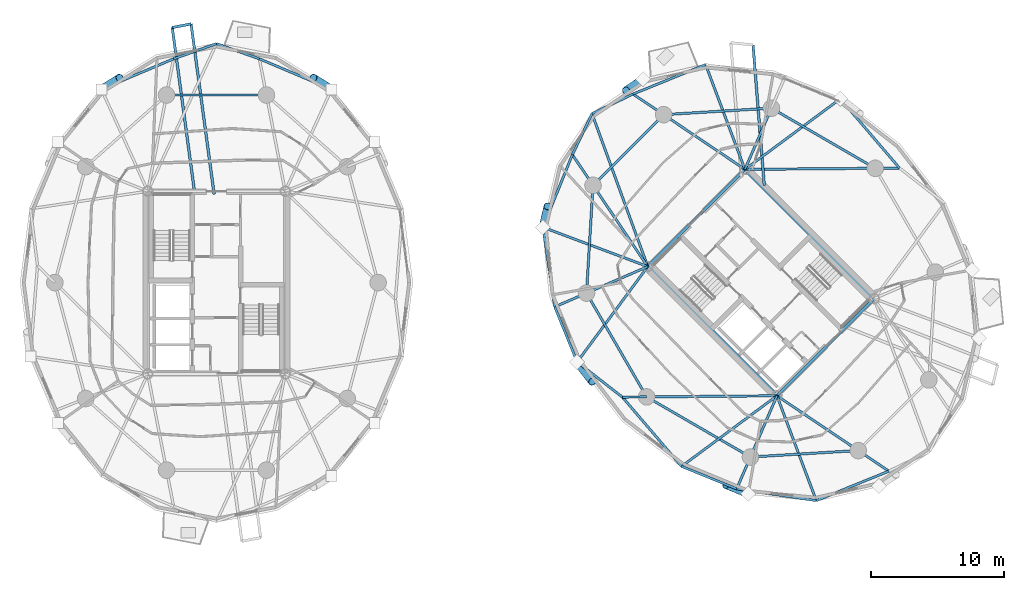
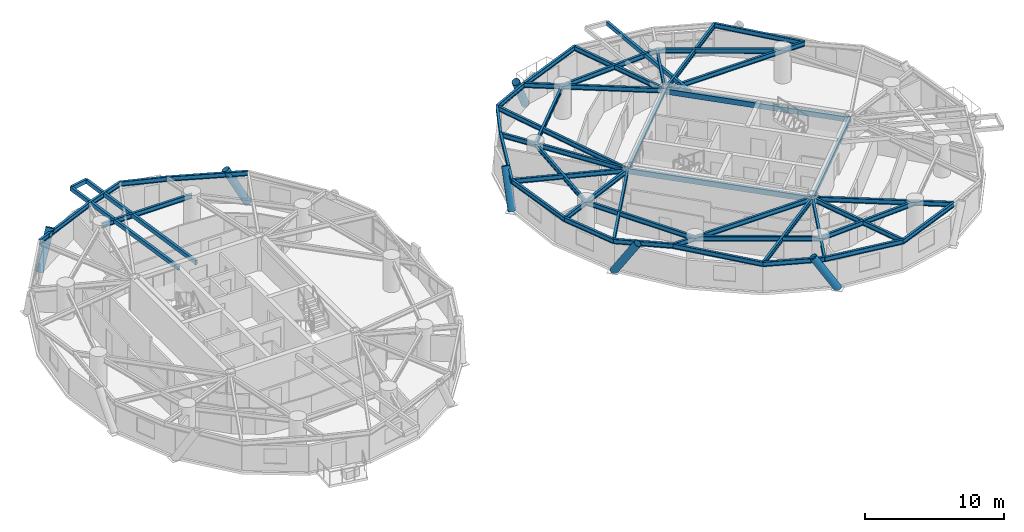
# One storey, part 6 of 19: 48 beams, 6 members.
"""IFC4 building model written with IfcOpenShell, lengths in metres."""

from ifc_helpers import new_model, si_unit, direction, frame, origin, origin_2d, place, context, subcontext, project, spatial, hollow_rectangle, hollow_circle, i_section, extrude, material, material_profile, profile_set, type_object, element, save


model = new_model("IFC4")

# Units and contexts
model_context = context("Model", 3, precision=1e-05, world=origin(), true_north=direction((0.0, 1.0)))
body_context = subcontext(model_context, "Body", "Model", "MODEL_VIEW")
ifc_project = project(units=[si_unit("LENGTHUNIT", "METRE"), si_unit("AREAUNIT", "SQUARE_METRE"), si_unit("VOLUMEUNIT", "CUBIC_METRE"), si_unit("PLANEANGLEUNIT", "RADIAN"), si_unit("MASSUNIT", "GRAM", prefix="KILO")], contexts=[model_context])

# Site, building, storey
site_placement = place(None, origin())
site = spatial("IfcSite", under=ifc_project, at=site_placement, CompositionType="ELEMENT")
building_placement = place(site_placement, origin())
building = spatial("IfcBuilding", under=site, at=building_placement, Name="Cununo Teusaquillo Station Towers", CompositionType="ELEMENT")
storey_placement = place(building_placement, frame((0.0, 0.0, 160.330078125)))
storey = spatial("IfcBuildingStorey", under=building, at=storey_placement, Name="L50", CompositionType="ELEMENT", Elevation=160.330078125)

# Beams
ifc_material_1 = material(Name="Steel EN 10025-2 S355J2", Category="steel")
ifc_material_profile_1 = material_profile(ifc_material_1, hollow_rectangle(XDim=0.199951171875, YDim=0.35009765625, WallThickness=0.013916015625, at=origin_2d()), Name="RHS 350x200x14")
ifc_profile_set_1 = profile_set([ifc_material_profile_1], Name="Steel EN 10025-2 S355J2")
beam_type_1 = type_object("IfcBeamType", Name="BM-BAL-CANT", PredefinedType="BEAM", material=ifc_profile_set_1)
beam_1_placement = place(storey_placement, frame((16.325439453125, 31.14990234375, 2.514892578125), z_axis=(-0.13427925042, 0.990943531644, 0.0), x_axis=(-0.990943531644, -0.13427925042, 0.0)))
element("IfcBeam", 1, at=beam_1_placement, inside=storey, type_object=beam_type_1, Name="L50 Tower A Balcony Cantilever Bracket 1A", PredefinedType="BEAM", context=body_context, shape_type="SweptSolid", body=[
    extrude(hollow_rectangle(XDim=0.199951171875, YDim=0.35009765625, WallThickness=0.013916015625, at=origin_2d()), origin(), (0.0, 0.0, 1.0), 12.947021484375),
])
beam_2_placement = place(storey_placement, frame((14.872314453125, 31.14990234375, 2.514892578125), z_axis=(-0.134274846508, 0.990944128392, 0.0), x_axis=(-0.990944128392, -0.134274846508, 0.0)))
element("IfcBeam", 2, at=beam_2_placement, inside=storey, type_object=beam_type_1, Name="L50 Tower A Balcony Cantilever Bracket 1B", PredefinedType="BEAM", context=body_context, shape_type="SweptSolid", body=[
    extrude(hollow_rectangle(XDim=0.199951171875, YDim=0.35009765625, WallThickness=0.013916015625, at=origin_2d()), origin(), (0.0, 0.0, 1.0), 12.671142578125),
])
beam_3_placement = place(storey_placement, frame((57.74853515625, 31.8173828125, 2.514892578125), z_axis=(-0.079442545434, 0.996839446438, 0.0), x_axis=(-0.996839446438, -0.079442545434, 0.0)))
element("IfcBeam", 3, at=beam_3_placement, inside=storey, type_object=beam_type_1, Name="L50 Tower B Balcony Cantilever Bracket 1A", PredefinedType="BEAM", context=body_context, shape_type="SweptSolid", body=[
    extrude(hollow_rectangle(XDim=0.199951171875, YDim=0.35009765625, WallThickness=0.013916015625, at=origin_2d()), origin(), (0.0, 0.0, 1.0), 10.611572265625),
])
ifc_material_2 = material(Name="Steel EN 10025-2 S355J2", Category="steel")
ifc_material_profile_2 = material_profile(ifc_material_2, hollow_rectangle(XDim=0.25, YDim=0.449951171875, WallThickness=0.01611328125, at=origin_2d()), Name="RHS 450x250x16")
ifc_profile_set_2 = profile_set([ifc_material_profile_2], Name="Steel EN 10025-2 S355J2")
beam_type_2 = type_object("IfcBeamType", Name="BM-COUP-1", PredefinedType="USERDEFINED", material=ifc_profile_set_2)
for number, where, z_axis, x_axis, name in (
    (4, (58.70556640625, 15.975830078125, 2.46484375), (-0.707106781187, 0.707106781187, 0.0), (-0.707106781187, -0.707106781187, 0.0), "L50 Tower B Core Beam 1"),
    (5, (66.024169921875, 23.29443359375, 2.46484375), (-0.707106781187, 0.707106781187, 0.0), (-0.707106781187, -0.707106781187, 0.0), "L50 Tower B Core Beam 2"),
):
    element("IfcBeam", number, at=place(storey_placement, frame(where, z_axis=z_axis, x_axis=x_axis)), inside=storey, type_object=beam_type_2, Name=name, ObjectType="COUPLING BEAM", PredefinedType="USERDEFINED", context=body_context, shape_type="SweptSolid", body=[
        extrude(hollow_rectangle(XDim=0.25, YDim=0.449951171875, WallThickness=0.01611328125, at=origin_2d()), origin(), (0.0, 0.0, 1.0), 13.760009765625),
    ])
ifc_material_3 = material(Name="Steel ASTM A572 Grade 50", Category="steel")
ifc_material_profile_3 = material_profile(ifc_material_3, i_section(OverallWidth=0.180908203125, OverallDepth=0.4169921875, WebThickness=0.010986328125, FlangeThickness=0.018310546875, FilletRadius=0.012939453125, at=origin_2d()), Name="W16X57")
ifc_profile_set_3 = profile_set([ifc_material_profile_3], Name="Steel ASTM A572 Grade 50")
beam_type_3 = type_object("IfcBeamType", Name="BM-JOIST-1", PredefinedType="JOIST", material=ifc_profile_set_3)
beam_4_placement = place(storey_placement, frame((56.29443359375, 33.024169921875, 2.4814453125), z_axis=(0.803848430471, 0.594834179272, 0.0), x_axis=(-0.594834179272, 0.803848430471, 0.0)))
element("IfcBeam", 6, at=beam_4_placement, inside=storey, type_object=beam_type_3, Name="L50 Tower B Radial Spandrel Joist V01", PredefinedType="JOIST", context=body_context, shape_type="SweptSolid", body=[
    extrude(i_section(OverallWidth=0.180908203125, OverallDepth=0.4169921875, WebThickness=0.010986328125, FlangeThickness=0.018310546875, FilletRadius=0.012939453125, at=origin_2d()), origin(), (0.0, 0.0, 1.0), 8.936767578125),
])
beam_5_placement = place(storey_placement, frame((56.29443359375, 33.024169921875, 2.4814453125), z_axis=(-0.351348805076, 0.936244635323, 0.0), x_axis=(-0.936244635323, -0.351348805076, 0.0)))
element("IfcBeam", 7, at=beam_5_placement, inside=storey, type_object=beam_type_3, Name="L50 Tower B Radial Spandrel Joist V03", PredefinedType="JOIST", context=body_context, shape_type="SweptSolid", body=[
    extrude(i_section(OverallWidth=0.180908203125, OverallDepth=0.4169921875, WebThickness=0.010986328125, FlangeThickness=0.018310546875, FilletRadius=0.012939453125, at=origin_2d()), origin(), (0.0, 0.0, 1.0), 8.4287109375),
])
beam_6_placement = place(storey_placement, frame((48.975830078125, 25.70556640625, 2.4814453125), z_axis=(-0.34241791496, 0.939547748395, 0.0), x_axis=(-0.939547748395, -0.34241791496, 0.0)))
element("IfcBeam", 8, at=beam_6_placement, inside=storey, type_object=beam_type_3, Name="L50 Tower B Radial Spandrel Joist V05", PredefinedType="JOIST", context=body_context, shape_type="SweptSolid", body=[
    extrude(i_section(OverallWidth=0.180908203125, OverallDepth=0.4169921875, WebThickness=0.010986328125, FlangeThickness=0.018310546875, FilletRadius=0.012939453125, at=origin_2d()), origin(), (0.0, 0.0, 1.0), 12.25634765625),
])
beam_7_placement = place(storey_placement, frame((48.975830078125, 25.70556640625, 2.4814453125), z_axis=(-0.936244635323, 0.351348805076, 0.0), x_axis=(-0.351348805076, -0.936244635323, 0.0)))
element("IfcBeam", 9, at=beam_7_placement, inside=storey, type_object=beam_type_3, Name="L50 Tower B Radial Spandrel Joist V07", PredefinedType="JOIST", context=body_context, shape_type="SweptSolid", body=[
    extrude(i_section(OverallWidth=0.180908203125, OverallDepth=0.4169921875, WebThickness=0.010986328125, FlangeThickness=0.018310546875, FilletRadius=0.012939453125, at=origin_2d()), origin(), (0.0, 0.0, 1.0), 8.4287109375),
])
for number, where, z_axis, x_axis, name in (
    (10, (48.975830078125, 25.70556640625, 2.4814453125), (-0.594834179272, -0.803848430471, 0.0), (0.803848430471, -0.594834179272, 0.0), "L50 Tower B Radial Spandrel Joist V09"),
    (11, (58.70556640625, 15.975830078125, 2.4814453125), (-0.803848430471, -0.594834179272, 0.0), (0.594834179272, -0.803848430471, 0.0), "L50 Tower B Radial Spandrel Joist V11"),
):
    element("IfcBeam", number, at=place(storey_placement, frame(where, z_axis=z_axis, x_axis=x_axis)), inside=storey, type_object=beam_type_3, Name=name, PredefinedType="JOIST", context=body_context, shape_type="SweptSolid", body=[
        extrude(i_section(OverallWidth=0.180908203125, OverallDepth=0.4169921875, WebThickness=0.010986328125, FlangeThickness=0.018310546875, FilletRadius=0.012939453125, at=origin_2d()), origin(), (0.0, 0.0, 1.0), 8.936767578125),
    ])
beam_8_placement = place(storey_placement, frame((58.70556640625, 15.975830078125, 2.4814453125), z_axis=(0.351348805076, -0.936244635323, 0.0), x_axis=(0.936244635323, 0.351348805076, 0.0)))
element("IfcBeam", 12, at=beam_8_placement, inside=storey, type_object=beam_type_3, Name="L50 Tower B Radial Spandrel Joist V13", PredefinedType="JOIST", context=body_context, shape_type="SweptSolid", body=[
    extrude(i_section(OverallWidth=0.180908203125, OverallDepth=0.4169921875, WebThickness=0.010986328125, FlangeThickness=0.018310546875, FilletRadius=0.012939453125, at=origin_2d()), origin(), (0.0, 0.0, 1.0), 8.4287109375),
])
ifc_material_4 = material(Name="Steel ASTM A572 Grade 50", Category="steel")
ifc_material_profile_4 = material_profile(ifc_material_4, i_section(OverallWidth=0.2041015625, OverallDepth=0.35009765625, WebThickness=0.008544921875, FlangeThickness=0.01513671875, FilletRadius=0.011962890625, at=origin_2d()), Name="W14X48")
ifc_profile_set_4 = profile_set([ifc_material_profile_4], Name="Steel ASTM A572 Grade 50")
beam_type_4 = type_object("IfcBeamType", Name="BM-LINTEL-1", PredefinedType="LINTEL", material=ifc_profile_set_4)
for number, where, z_axis, x_axis, name in (
    (13, (58.70556640625, 15.975830078125, 2.514892578125), (0.707106781187, 0.707106781187, 0.0), (-0.707106781187, 0.707106781187, 0.0), "L50 Tower B Core Beam 3"),
    (14, (48.975830078125, 25.70556640625, 2.514892578125), (0.707106781187, 0.707106781187, 0.0), (-0.707106781187, 0.707106781187, 0.0), "L50 Tower B Core Beam 4"),
):
    element("IfcBeam", number, at=place(storey_placement, frame(where, z_axis=z_axis, x_axis=x_axis)), inside=storey, type_object=beam_type_4, Name=name, PredefinedType="LINTEL", context=body_context, shape_type="SweptSolid", body=[
        extrude(i_section(OverallWidth=0.2041015625, OverallDepth=0.35009765625, WebThickness=0.008544921875, FlangeThickness=0.01513671875, FilletRadius=0.011962890625, at=origin_2d()), origin(), (0.0, 0.0, 1.0), 10.35009765625),
    ])
ifc_material_5 = material(Name="Steel ASTM A572 Grade 50", Category="steel")
ifc_material_profile_5 = material_profile(ifc_material_5, i_section(OverallWidth=0.180908203125, OverallDepth=0.4169921875, WebThickness=0.010986328125, FlangeThickness=0.018310546875, FilletRadius=0.012939453125, at=origin_2d()), Name="W16X57")
ifc_profile_set_5 = profile_set([ifc_material_profile_5], Name="Steel ASTM A572 Grade 50")
beam_type_5 = type_object("IfcBeamType", Name="BM-RAD-G2", PredefinedType="BEAM", material=ifc_profile_set_5)
beam_9_placement = place(storey_placement, frame((56.29443359375, 33.024169921875, 2.4814453125), z_axis=(0.999964454788, 0.008431438866, 0.0), x_axis=(-0.008431438866, 0.999964454788, 0.0)))
element("IfcBeam", 15, at=beam_9_placement, inside=storey, type_object=beam_type_5, Name="L50 Tower B Continuous Overhanging Radial Girder 01", PredefinedType="BEAM", context=body_context, shape_type="SweptSolid", body=[
    extrude(i_section(OverallWidth=0.180908203125, OverallDepth=0.4169921875, WebThickness=0.010986328125, FlangeThickness=0.018310546875, FilletRadius=0.012939453125, at=origin_2d()), origin(), (0.0, 0.0, 1.0), 11.640380859375),
])
beam_10_placement = place(storey_placement, frame((56.29443359375, 33.024169921875, 2.4814453125), z_axis=(0.397346986387, 0.917668443616, 0.0), x_axis=(-0.917668443616, 0.397346986387, 0.0)))
element("IfcBeam", 16, at=beam_10_placement, inside=storey, type_object=beam_type_5, Name="L50 Tower B Radial Girder 02A", PredefinedType="BEAM", context=body_context, shape_type="SweptSolid", body=[
    extrude(i_section(OverallWidth=0.180908203125, OverallDepth=0.4169921875, WebThickness=0.010986328125, FlangeThickness=0.018310546875, FilletRadius=0.012939453125, at=origin_2d()), origin(), (0.0, 0.0, 1.0), 5.02490234375),
])
for number, where, z_axis, x_axis, name in (
    (17, (56.29443359375, 33.024169921875, 2.4814453125), (-0.829456923219, 0.558570687133, 0.0), (-0.558570687133, -0.829456923219, 0.0), "L50 Tower B Continuous Overhanging Radial Girder 03"),
    (18, (48.975830078125, 25.70556640625, 2.4814453125), (-0.558570687133, 0.829456923219, 0.0), (-0.829456923219, -0.558570687133, 0.0), "L50 Tower B Continuous Overhanging Radial Girder 04"),
):
    element("IfcBeam", number, at=place(storey_placement, frame(where, z_axis=z_axis, x_axis=x_axis)), inside=storey, type_object=beam_type_5, Name=name, PredefinedType="BEAM", context=body_context, shape_type="SweptSolid", body=[
        extrude(i_section(OverallWidth=0.180908203125, OverallDepth=0.4169921875, WebThickness=0.010986328125, FlangeThickness=0.018310546875, FilletRadius=0.012939453125, at=origin_2d()), origin(), (0.0, 0.0, 1.0), 10.1591796875),
    ])
beam_11_placement = place(storey_placement, frame((48.975830078125, 25.70556640625, 2.4814453125), z_axis=(-0.917655964072, -0.397375806515, 0.0), x_axis=(0.397375806515, -0.917655964072, 0.0)))
element("IfcBeam", 19, at=beam_11_placement, inside=storey, type_object=beam_type_5, Name="L50 Tower B Continuous Overhanging Radial Girder 05", PredefinedType="BEAM", context=body_context, shape_type="SweptSolid", body=[
    extrude(i_section(OverallWidth=0.180908203125, OverallDepth=0.4169921875, WebThickness=0.010986328125, FlangeThickness=0.018310546875, FilletRadius=0.012939453125, at=origin_2d()), origin(), (0.0, 0.0, 1.0), 7.6318359375),
])
beam_12_placement = place(storey_placement, frame((58.70556640625, 15.975830078125, 2.4814453125), z_axis=(-0.999964431382, -0.008434214327, 0.0), x_axis=(0.008434214327, -0.999964431382, 0.0)))
element("IfcBeam", 20, at=beam_12_placement, inside=storey, type_object=beam_type_5, Name="L50 Tower B Radial Girder 06A", PredefinedType="BEAM", context=body_context, shape_type="SweptSolid", body=[
    extrude(i_section(OverallWidth=0.180908203125, OverallDepth=0.4169921875, WebThickness=0.010986328125, FlangeThickness=0.018310546875, FilletRadius=0.012939453125, at=origin_2d()), origin(), (0.0, 0.0, 1.0), 9.812744140625),
])
beam_13_placement = place(storey_placement, frame((48.89306640625, 15.89306640625, 2.4814453125), z_axis=(-0.999964580337, -0.008416535546, 0.0), x_axis=(0.008416535546, -0.999964580337, 0.0)))
element("IfcBeam", 21, at=beam_13_placement, inside=storey, type_object=beam_type_5, Name="L50 Tower B Perimeter Overhang Girder 06B", PredefinedType="BEAM", context=body_context, shape_type="SweptSolid", body=[
    extrude(i_section(OverallWidth=0.180908203125, OverallDepth=0.4169921875, WebThickness=0.010986328125, FlangeThickness=0.018310546875, FilletRadius=0.012939453125, at=origin_2d()), origin(), (0.0, 0.0, 1.0), 1.827392578125),
])
beam_14_placement = place(storey_placement, frame((58.70556640625, 15.975830078125, 2.4814453125), z_axis=(-0.397375806515, -0.917655964072, 0.0), x_axis=(0.917655964072, -0.397375806515, 0.0)))
element("IfcBeam", 22, at=beam_14_placement, inside=storey, type_object=beam_type_5, Name="L50 Tower B Continuous Overhanging Radial Girder 07", PredefinedType="BEAM", context=body_context, shape_type="SweptSolid", body=[
    extrude(i_section(OverallWidth=0.180908203125, OverallDepth=0.4169921875, WebThickness=0.010986328125, FlangeThickness=0.018310546875, FilletRadius=0.012939453125, at=origin_2d()), origin(), (0.0, 0.0, 1.0), 7.6318359375),
])
beam_15_placement = place(storey_placement, frame((58.70556640625, 15.975830078125, 2.4814453125), z_axis=(0.829456923219, -0.558570687133, 0.0), x_axis=(0.558570687133, 0.829456923219, 0.0)))
element("IfcBeam", 23, at=beam_15_placement, inside=storey, type_object=beam_type_5, Name="L50 Tower B Continuous Overhanging Radial Girder 08", PredefinedType="BEAM", context=body_context, shape_type="SweptSolid", body=[
    extrude(i_section(OverallWidth=0.180908203125, OverallDepth=0.4169921875, WebThickness=0.010986328125, FlangeThickness=0.018310546875, FilletRadius=0.012939453125, at=origin_2d()), origin(), (0.0, 0.0, 1.0), 10.1591796875),
])
ifc_material_6 = material(Name="Steel ASTM A572 Grade 50", Category="steel")
ifc_material_profile_6 = material_profile(ifc_material_6, i_section(OverallWidth=0.180908203125, OverallDepth=0.4169921875, WebThickness=0.010986328125, FlangeThickness=0.018310546875, FilletRadius=0.012939453125, at=origin_2d()), Name="W16X57")
ifc_profile_set_6 = profile_set([ifc_material_profile_6], Name="Steel ASTM A572 Grade 50")
beam_type_6 = type_object("IfcBeamType", Name="BM-RING-Z3", PredefinedType="SPANDREL", material=ifc_profile_set_6)
beam_16_placement = place(storey_placement, frame((20.261474609375, 38.623291015625, 2.4814453125), z_axis=(-1.0, 0.0, 0.0), x_axis=(0.0, -1.0, 0.0)))
element("IfcBeam", 24, at=beam_16_placement, inside=storey, type_object=beam_type_6, Name="L50 Tower A Structural Column Ring Girder 03", PredefinedType="SPANDREL", context=body_context, shape_type="SweptSolid", body=[
    extrude(i_section(OverallWidth=0.180908203125, OverallDepth=0.4169921875, WebThickness=0.010986328125, FlangeThickness=0.018310546875, FilletRadius=0.012939453125, at=origin_2d()), origin(), (0.0, 0.0, 1.0), 7.52294921875),
])
beam_17_placement = place(storey_placement, frame((25.160888671875, 39.05419921875, 2.4814453125), z_axis=(-0.921042081118, 0.38946307246, 0.0), x_axis=(-0.38946307246, -0.921042081118, 0.0)))
element("IfcBeam", 25, at=beam_17_placement, inside=storey, type_object=beam_type_6, Name="L50 Tower A Spandrel Ring Beam 04", PredefinedType="SPANDREL", context=body_context, shape_type="SweptSolid", body=[
    extrude(i_section(OverallWidth=0.180908203125, OverallDepth=0.4169921875, WebThickness=0.010986328125, FlangeThickness=0.018310546875, FilletRadius=0.012939453125, at=origin_2d()), origin(), (0.0, 0.0, 1.0), 5.8974609375),
])
for number, where, z_axis, x_axis, name in (
    (26, (19.72900390625, 41.35107421875, 2.4814453125), (-0.943057449198, 0.332629895698, 0.0), (-0.332629895698, -0.943057449198, 0.0), "L50 Tower A Spandrel Ring Beam 05"),
    (27, (16.5, 42.489990234375, 2.4814453125), (-0.943057449198, -0.332629895698, 0.0), (0.332629895698, -0.943057449198, 0.0), "L50 Tower A Spandrel Ring Beam 06"),
):
    element("IfcBeam", number, at=place(storey_placement, frame(where, z_axis=z_axis, x_axis=x_axis)), inside=storey, type_object=beam_type_6, Name=name, PredefinedType="SPANDREL", context=body_context, shape_type="SweptSolid", body=[
        extrude(i_section(OverallWidth=0.180908203125, OverallDepth=0.4169921875, WebThickness=0.010986328125, FlangeThickness=0.018310546875, FilletRadius=0.012939453125, at=origin_2d()), origin(), (0.0, 0.0, 1.0), 3.424072265625),
    ])
beam_18_placement = place(storey_placement, frame((13.27099609375, 41.35107421875, 2.4814453125), z_axis=(-0.921042081118, -0.38946307246, 0.0), x_axis=(0.38946307246, -0.921042081118, 0.0)))
element("IfcBeam", 28, at=beam_18_placement, inside=storey, type_object=beam_type_6, Name="L50 Tower A Spandrel Ring Beam 07", PredefinedType="SPANDREL", context=body_context, shape_type="SweptSolid", body=[
    extrude(i_section(OverallWidth=0.180908203125, OverallDepth=0.4169921875, WebThickness=0.010986328125, FlangeThickness=0.018310546875, FilletRadius=0.012939453125, at=origin_2d()), origin(), (0.0, 0.0, 1.0), 5.8974609375),
])
beam_19_placement = place(storey_placement, frame((66.10693359375, 33.10693359375, 2.4814453125), z_axis=(-0.865267103202, 0.501311121078, 0.0), x_axis=(-0.501311121078, -0.865267103202, 0.0)))
element("IfcBeam", 29, at=beam_19_placement, inside=storey, type_object=beam_type_6, Name="L50 Tower B Structural Column Ring Girder 01", PredefinedType="SPANDREL", context=body_context, shape_type="SweptSolid", body=[
    extrude(i_section(OverallWidth=0.180908203125, OverallDepth=0.4169921875, WebThickness=0.010986328125, FlangeThickness=0.018310546875, FilletRadius=0.012939453125, at=origin_2d()), origin(), (0.0, 0.0, 1.0), 9.032958984375),
])
beam_20_placement = place(storey_placement, frame((58.291015625, 37.63525390625, 2.4814453125), z_axis=(-0.998190567048, -0.06012979176, 0.0), x_axis=(0.06012979176, -0.998190567048, 0.0)))
element("IfcBeam", 30, at=beam_20_placement, inside=storey, type_object=beam_type_6, Name="L50 Tower B Structural Column Ring Girder 02", PredefinedType="SPANDREL", context=body_context, shape_type="SweptSolid", body=[
    extrude(i_section(OverallWidth=0.180908203125, OverallDepth=0.4169921875, WebThickness=0.010986328125, FlangeThickness=0.018310546875, FilletRadius=0.012939453125, at=origin_2d()), origin(), (0.0, 0.0, 1.0), 8.132568359375),
])
beam_21_placement = place(storey_placement, frame((50.173095703125, 37.146240234375, 2.4814453125), z_axis=(-0.707106781187, -0.707106781187, 0.0), x_axis=(0.707106781187, -0.707106781187, 0.0)))
element("IfcBeam", 31, at=beam_21_placement, inside=storey, type_object=beam_type_6, Name="L50 Tower B Structural Column Ring Girder 03", PredefinedType="SPANDREL", context=body_context, shape_type="SweptSolid", body=[
    extrude(i_section(OverallWidth=0.180908203125, OverallDepth=0.4169921875, WebThickness=0.010986328125, FlangeThickness=0.018310546875, FilletRadius=0.012939453125, at=origin_2d()), origin(), (0.0, 0.0, 1.0), 7.522705078125),
])
beam_22_placement = place(storey_placement, frame((44.853759765625, 31.826904296875, 2.4814453125), z_axis=(-0.06012979176, -0.998190567048, 0.0), x_axis=(0.998190567048, -0.06012979176, 0.0)))
element("IfcBeam", 32, at=beam_22_placement, inside=storey, type_object=beam_type_6, Name="L50 Tower B Structural Column Ring Girder 04", PredefinedType="SPANDREL", context=body_context, shape_type="SweptSolid", body=[
    extrude(i_section(OverallWidth=0.180908203125, OverallDepth=0.4169921875, WebThickness=0.010986328125, FlangeThickness=0.018310546875, FilletRadius=0.012939453125, at=origin_2d()), origin(), (0.0, 0.0, 1.0), 8.132568359375),
])
for number, where, z_axis, x_axis, name in (
    (33, (44.36474609375, 23.708984375, 2.4814453125), (0.501311121078, -0.865267103202, 0.0), (0.865267103202, 0.501311121078, 0.0), "L50 Tower B Structural Column Ring Girder 05"),
    (34, (48.89306640625, 15.89306640625, 2.4814453125), (0.865267103202, -0.501311121078, 0.0), (0.501311121078, 0.865267103202, 0.0), "L50 Tower B Structural Column Ring Girder 06"),
):
    element("IfcBeam", number, at=place(storey_placement, frame(where, z_axis=z_axis, x_axis=x_axis)), inside=storey, type_object=beam_type_6, Name=name, PredefinedType="SPANDREL", context=body_context, shape_type="SweptSolid", body=[
        extrude(i_section(OverallWidth=0.180908203125, OverallDepth=0.4169921875, WebThickness=0.010986328125, FlangeThickness=0.018310546875, FilletRadius=0.012939453125, at=origin_2d()), origin(), (0.0, 0.0, 1.0), 9.032958984375),
    ])
beam_23_placement = place(storey_placement, frame((56.708984375, 11.36474609375, 2.4814453125), z_axis=(0.998190567048, 0.06012979176, 0.0), x_axis=(-0.06012979176, 0.998190567048, 0.0)))
element("IfcBeam", 35, at=beam_23_placement, inside=storey, type_object=beam_type_6, Name="L50 Tower B Structural Column Ring Girder 07", PredefinedType="SPANDREL", context=body_context, shape_type="SweptSolid", body=[
    extrude(i_section(OverallWidth=0.180908203125, OverallDepth=0.4169921875, WebThickness=0.010986328125, FlangeThickness=0.018310546875, FilletRadius=0.012939453125, at=origin_2d()), origin(), (0.0, 0.0, 1.0), 8.132568359375),
])
beam_24_placement = place(storey_placement, frame((67.934326171875, 33.122314453125, 2.4814453125), z_axis=(-0.64941898982, 0.760430782952, 0.0), x_axis=(-0.760430782952, -0.64941898982, 0.0)))
element("IfcBeam", 36, at=beam_24_placement, inside=storey, type_object=beam_type_6, Name="L50 Tower B Spandrel Ring Beam 01", PredefinedType="SPANDREL", context=body_context, shape_type="SweptSolid", body=[
    extrude(i_section(OverallWidth=0.180908203125, OverallDepth=0.4169921875, WebThickness=0.010986328125, FlangeThickness=0.018310546875, FilletRadius=0.012939453125, at=origin_2d()), origin(), (0.0, 0.0, 1.0), 6.861572265625),
])
beam_25_placement = place(storey_placement, frame((53.3330078125, 40.91552734375, 2.4814453125), z_axis=(-0.926667183359, -0.375882869104, 0.0), x_axis=(0.375882869104, -0.926667183359, 0.0)))
element("IfcBeam", 37, at=beam_25_placement, inside=storey, type_object=beam_type_6, Name="L50 Tower B Spandrel Ring Beam 04", PredefinedType="SPANDREL", context=body_context, shape_type="SweptSolid", body=[
    extrude(i_section(OverallWidth=0.180908203125, OverallDepth=0.4169921875, WebThickness=0.010986328125, FlangeThickness=0.018310546875, FilletRadius=0.012939453125, at=origin_2d()), origin(), (0.0, 0.0, 1.0), 5.8974609375),
])
for number, where, z_axis, x_axis, name in (
    (38, (47.867919921875, 38.69873046875, 2.4814453125), (-0.902077503555, -0.431574069634, 0.0), (0.431574069634, -0.902077503555, 0.0), "L50 Tower B Spandrel Ring Beam 05"),
    (39, (44.779052734375, 37.220947265625, 2.4814453125), (-0.431574069634, -0.902077503555, 0.0), (0.902077503555, -0.431574069634, 0.0), "L50 Tower B Spandrel Ring Beam 06"),
):
    element("IfcBeam", number, at=place(storey_placement, frame(where, z_axis=z_axis, x_axis=x_axis)), inside=storey, type_object=beam_type_6, Name=name, PredefinedType="SPANDREL", context=body_context, shape_type="SweptSolid", body=[
        extrude(i_section(OverallWidth=0.180908203125, OverallDepth=0.4169921875, WebThickness=0.010986328125, FlangeThickness=0.018310546875, FilletRadius=0.012939453125, at=origin_2d()), origin(), (0.0, 0.0, 1.0), 3.424072265625),
    ])
beam_26_placement = place(storey_placement, frame((43.30126953125, 34.132080078125, 2.4814453125), z_axis=(-0.375882869104, -0.926667183359, 0.0), x_axis=(0.926667183359, -0.375882869104, 0.0)))
element("IfcBeam", 40, at=beam_26_placement, inside=storey, type_object=beam_type_6, Name="L50 Tower B Spandrel Ring Beam 07", PredefinedType="SPANDREL", context=body_context, shape_type="SweptSolid", body=[
    extrude(i_section(OverallWidth=0.180908203125, OverallDepth=0.4169921875, WebThickness=0.010986328125, FlangeThickness=0.018310546875, FilletRadius=0.012939453125, at=origin_2d()), origin(), (0.0, 0.0, 1.0), 5.8974609375),
])
beam_27_placement = place(storey_placement, frame((41.08447265625, 28.6669921875, 2.4814453125), z_axis=(0.146535519435, -0.989205409176, 0.0), x_axis=(0.989205409176, 0.146535519435, 0.0)))
element("IfcBeam", 41, at=beam_27_placement, inside=storey, type_object=beam_type_6, Name="L50 Tower B Spandrel Ring Beam 08", PredefinedType="SPANDREL", context=body_context, shape_type="SweptSolid", body=[
    extrude(i_section(OverallWidth=0.180908203125, OverallDepth=0.4169921875, WebThickness=0.010986328125, FlangeThickness=0.018310546875, FilletRadius=0.012939453125, at=origin_2d()), origin(), (0.0, 0.0, 1.0), 6.0595703125),
])
beam_28_placement = place(storey_placement, frame((41.972412109375, 22.6728515625, 2.4814453125), z_axis=(0.376588942192, -0.926380466449, 0.0), x_axis=(0.926380466449, 0.376588942192, 0.0)))
element("IfcBeam", 42, at=beam_28_placement, inside=storey, type_object=beam_type_6, Name="L50 Tower B Spandrel Ring Beam 09", PredefinedType="SPANDREL", context=body_context, shape_type="SweptSolid", body=[
    extrude(i_section(OverallWidth=0.180908203125, OverallDepth=0.4169921875, WebThickness=0.010986328125, FlangeThickness=0.018310546875, FilletRadius=0.012939453125, at=origin_2d()), origin(), (0.0, 0.0, 1.0), 4.48095703125),
])
beam_29_placement = place(storey_placement, frame((43.659912109375, 18.521728515625, 2.4814453125), z_axis=(0.789900716386, -0.613234749711, 0.0), x_axis=(0.613234749711, 0.789900716386, 0.0)))
element("IfcBeam", 43, at=beam_29_placement, inside=storey, type_object=beam_type_6, Name="L50 Tower B Spandrel Ring Beam 10", PredefinedType="SPANDREL", context=body_context, shape_type="SweptSolid", body=[
    extrude(i_section(OverallWidth=0.180908203125, OverallDepth=0.4169921875, WebThickness=0.010986328125, FlangeThickness=0.018310546875, FilletRadius=0.012939453125, at=origin_2d()), origin(), (0.0, 0.0, 1.0), 4.3115234375),
])
beam_30_placement = place(storey_placement, frame((47.065673828125, 15.877685546875, 2.4814453125), z_axis=(0.64941898982, -0.760430782952, 0.0), x_axis=(0.760430782952, 0.64941898982, 0.0)))
element("IfcBeam", 44, at=beam_30_placement, inside=storey, type_object=beam_type_6, Name="L50 Tower B Spandrel Ring Beam 11", PredefinedType="SPANDREL", context=body_context, shape_type="SweptSolid", body=[
    extrude(i_section(OverallWidth=0.180908203125, OverallDepth=0.4169921875, WebThickness=0.010986328125, FlangeThickness=0.018310546875, FilletRadius=0.012939453125, at=origin_2d()), origin(), (0.0, 0.0, 1.0), 6.861572265625),
])
beam_31_placement = place(storey_placement, frame((51.521728515625, 10.659912109375, 2.4814453125), z_axis=(0.926380466449, -0.376588942192, 0.0), x_axis=(0.376588942192, 0.926380466449, 0.0)))
element("IfcBeam", 45, at=beam_31_placement, inside=storey, type_object=beam_type_6, Name="L50 Tower B Spandrel Ring Beam 12", PredefinedType="SPANDREL", context=body_context, shape_type="SweptSolid", body=[
    extrude(i_section(OverallWidth=0.180908203125, OverallDepth=0.4169921875, WebThickness=0.010986328125, FlangeThickness=0.018310546875, FilletRadius=0.012939453125, at=origin_2d()), origin(), (0.0, 0.0, 1.0), 4.48095703125),
])
beam_32_placement = place(storey_placement, frame((55.6728515625, 8.972412109375, 2.4814453125), z_axis=(0.989205409176, -0.146535519435, 0.0), x_axis=(0.146535519435, 0.989205409176, 0.0)))
element("IfcBeam", 46, at=beam_32_placement, inside=storey, type_object=beam_type_6, Name="L50 Tower B Spandrel Ring Beam 13", PredefinedType="SPANDREL", context=body_context, shape_type="SweptSolid", body=[
    extrude(i_section(OverallWidth=0.180908203125, OverallDepth=0.4169921875, WebThickness=0.010986328125, FlangeThickness=0.018310546875, FilletRadius=0.012939453125, at=origin_2d()), origin(), (0.0, 0.0, 1.0), 6.0595703125),
])
beam_33_placement = place(storey_placement, frame((61.6669921875, 8.08447265625, 2.4814453125), z_axis=(0.926667183359, 0.375882869104, 0.0), x_axis=(-0.375882869104, 0.926667183359, 0.0)))
element("IfcBeam", 47, at=beam_33_placement, inside=storey, type_object=beam_type_6, Name="L50 Tower B Spandrel Ring Beam 14", PredefinedType="SPANDREL", context=body_context, shape_type="SweptSolid", body=[
    extrude(i_section(OverallWidth=0.180908203125, OverallDepth=0.4169921875, WebThickness=0.010986328125, FlangeThickness=0.018310546875, FilletRadius=0.012939453125, at=origin_2d()), origin(), (0.0, 0.0, 1.0), 5.8974609375),
])
ifc_material_7 = material(Name="Steel EN 10025-2 S355J2", Category="steel")
ifc_material_profile_7 = material_profile(ifc_material_7, hollow_rectangle(XDim=0.199951171875, YDim=0.35009765625, WallThickness=0.013916015625, at=origin_2d()), Name="RHS 350x200x14")
ifc_profile_set_7 = profile_set([ifc_material_profile_7], Name="Steel EN 10025-2 S355J2")
beam_type_7 = type_object("IfcBeamType", Name="BM-STAIR-TRIM", PredefinedType="BEAM", material=ifc_profile_set_7)
beam_34_placement = place(storey_placement, frame((14.5869140625, 43.979736328125, 2.52490234375), z_axis=(-0.981861262275, -0.189600795474, 0.0), x_axis=(0.189600795474, -0.981861262275, 0.0)))
element("IfcBeam", 48, at=beam_34_placement, inside=storey, type_object=beam_type_7, Name="L50 Tower A Balcony Edge Trimmer Beam 1", PredefinedType="BEAM", context=body_context, shape_type="SweptSolid", body=[
    extrude(hollow_rectangle(XDim=0.199951171875, YDim=0.35009765625, WallThickness=0.013916015625, at=origin_2d()), origin(), (0.0, 0.0, 1.0), 1.442138671875),
])

# Members
ifc_material_8 = material(Name="Steel EN 10025-2 S355J2", Category="steel")
ifc_material_profile_8 = material_profile(ifc_material_8, hollow_circle(Radius=0.304931640625, WallThickness=0.02001953125, at=origin_2d()), Name="CHS 610x20")
ifc_profile_set_8 = profile_set([ifc_material_profile_8], Name="Steel EN 10025-2 S355J2")
member_type = type_object("IfcMemberType", Name="MBR-DIAG-Z3", PredefinedType="BRACE", material=ifc_profile_set_8)
for number, where, z_axis, x_axis, name in (
    (49, (25.160888671875, 39.05419921875, -0.14013671875), (-0.411520346825, 0.256026121625, 0.874700879841), (-0.528255801217, -0.849085277508, 0.0), "L50 Tower A Folded-Zigzag Diagrid Tube C03"),
    (50, (7.839111328125, 39.05419921875, -0.14013671875), (0.411520346825, 0.256026121625, 0.874700879841), (-0.528255801217, 0.849085277508, 0.0), "L50 Tower A Folded-Zigzag Diagrid Tube C06"),
):
    element("IfcMember", number, at=place(storey_placement, frame(where, z_axis=z_axis, x_axis=x_axis)), inside=storey, type_object=member_type, Name=name, PredefinedType="BRACE", context=body_context, shape_type="SweptSolid", body=[
        extrude(hollow_circle(Radius=0.304931640625, WallThickness=0.02001953125, at=origin_2d()), origin(), (0.0, 0.0, 1.0), 3.3271484375),
    ])
member_1_placement = place(storey_placement, frame((48.62158203125, 39.818115234375, -0.14013671875), z_axis=(-0.38866614009, -0.262716380625, 0.883130078131), x_axis=(0.560009784908, -0.828485993127, 0.0)))
element("IfcMember", 51, at=member_1_placement, inside=storey, type_object=member_type, Name="L50 Tower B Folded-Zigzag Diagrid Tube C04", PredefinedType="BRACE", context=body_context, shape_type="SweptSolid", body=[
    extrude(hollow_circle(Radius=0.304931640625, WallThickness=0.02001953125, at=origin_2d()), origin(), (0.0, 0.0, 1.0), 3.295166015625),
])
member_2_placement = place(storey_placement, frame((41.08447265625, 28.6669921875, -0.14013671875), z_axis=(0.109923264201, 0.47205364393, 0.874689792578), x_axis=(-0.973942735604, 0.226794064657, 0.0)))
element("IfcMember", 52, at=member_2_placement, inside=storey, type_object=member_type, Name="L50 Tower B Folded-Zigzag Diagrid Tube C06", PredefinedType="BRACE", context=body_context, shape_type="SweptSolid", body=[
    extrude(hollow_circle(Radius=0.304931640625, WallThickness=0.02001953125, at=origin_2d()), origin(), (0.0, 0.0, 1.0), 3.3271484375),
])
member_3_placement = place(storey_placement, frame((43.659912109375, 18.521728515625, -0.14013671875), z_axis=(0.329679236996, -0.428018247089, 0.841493898286), x_axis=(0.79223522678, 0.610215818747, 0.0)))
element("IfcMember", 53, at=member_3_placement, inside=storey, type_object=member_type, Name="L50 Tower B Folded-Zigzag Diagrid Tube C09", PredefinedType="BRACE", context=body_context, shape_type="SweptSolid", body=[
    extrude(hollow_circle(Radius=0.304931640625, WallThickness=0.02001953125, at=origin_2d()), origin(), (0.0, 0.0, 1.0), 3.458251953125),
])
member_4_placement = place(storey_placement, frame((56.5478515625, 8.593505859375, -0.14013671875), z_axis=(-0.488788392676, 0.200913894177, 0.848952009428), x_axis=(-0.380180358463, -0.924912371546, 0.0)))
element("IfcMember", 54, at=member_4_placement, inside=storey, type_object=member_type, Name="L50 Tower B Folded-Zigzag Diagrid Tube C11", PredefinedType="BRACE", context=body_context, shape_type="SweptSolid", body=[
    extrude(hollow_circle(Radius=0.304931640625, WallThickness=0.02001953125, at=origin_2d()), origin(), (0.0, 0.0, 1.0), 3.427978515625),
])

save(model, "model.ifc")
